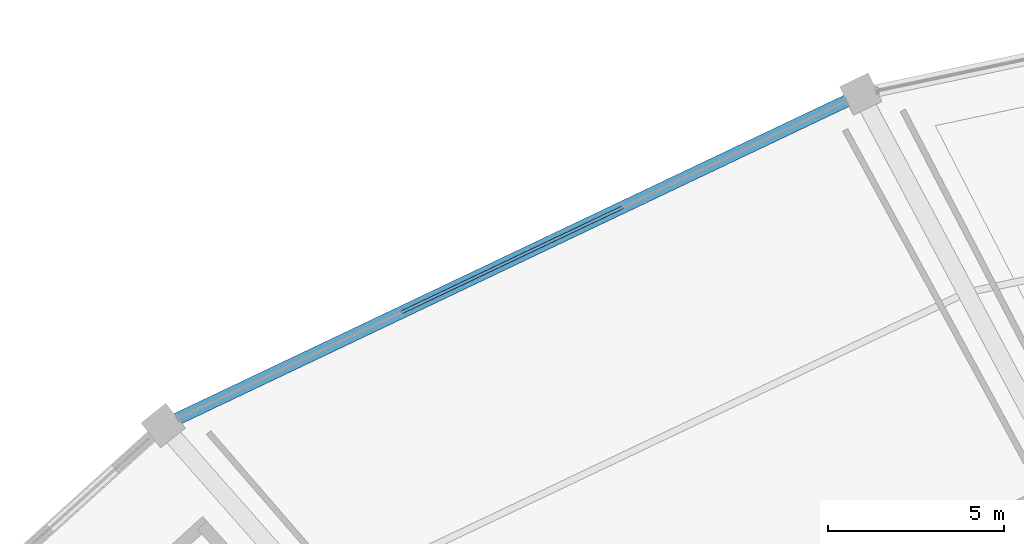
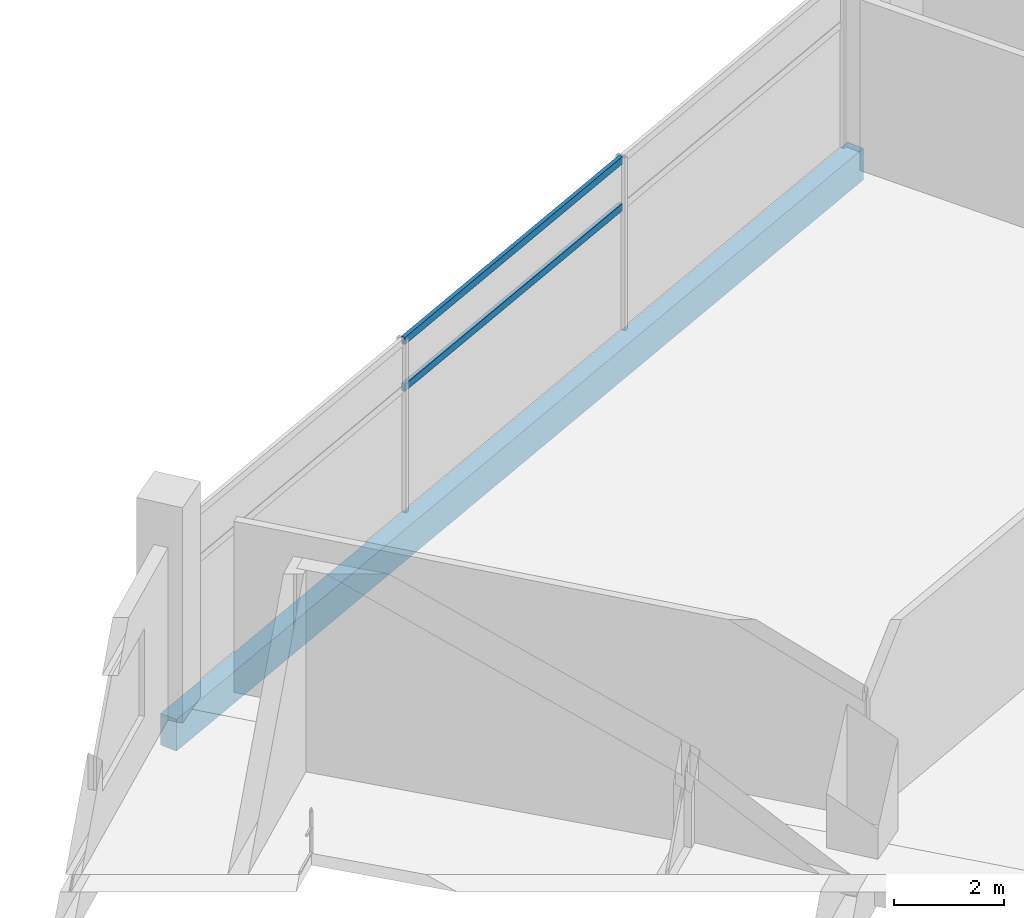
# One storey, part 86 of 171: 2 members, 1 beam, 1 element without a shape of its own.
"""IFC4 building model written with IfcOpenShell, lengths in metres."""

import ifcopenshell
import ifcopenshell.guid

model = None  # the IFC model being written
_history = None  # IfcOwnerHistory: only IFC2X3 demands one
_inside = {}  # id of a spatial element -> (the spatial element, [elements in it])
_under = {}  # id of a project, library or spatial element -> (it, [spatial elements below it])
_declared = {}  # id of a project -> (the project, [libraries it declares])
_typed = {}  # id of a type object -> (the type object, [elements of that type])
_made_of = {}  # id of a material, layer set ... -> (it, [elements and type objects made of it])


def new_model(schema):
    """Start an empty IFC model of exactly this schema.

    Asked for "IFC4X3", IfcOpenShell would pick the latest addendum, in which some entities
    have other attributes; the version numbers below select the first issue.
    IFC2X3 requires an IfcOwnerHistory on every rooted entity: one is made here for all.
    """
    global model, _history
    if schema == "IFC4X3":
        model = ifcopenshell.file(schema_version=(4, 3, 0, 0))
    else:
        model = ifcopenshell.file(schema=schema)
    _inside.clear()
    _under.clear()
    _declared.clear()
    _typed.clear()
    _made_of.clear()
    _history = None
    if model.schema == "IFC2X3":
        org = make("IfcOrganization", Name="unknown")
        user = make(
            "IfcPersonAndOrganization",
            ThePerson=make("IfcPerson", FamilyName="unknown"),
            TheOrganization=org,
        )
        app = make(
            "IfcApplication",
            ApplicationDeveloper=org,
            Version="unknown",
            ApplicationFullName="unknown",
            ApplicationIdentifier="unknown",
        )
        _history = make(
            "IfcOwnerHistory",
            OwningUser=user,
            OwningApplication=app,
            ChangeAction="ADDED",
            CreationDate=0,
        )
    return model


def make(cls, **values):
    """One entity of the class cls with the attributes given. An attribute that is None is left unset."""
    return model.create_entity(
        cls, **{name: value for name, value in values.items() if value is not None}
    )


def rooted(cls, **values):
    """An entity with a GlobalId (a new one), such as an element, a storey or a relation."""
    return make(cls, GlobalId=ifcopenshell.guid.new(), OwnerHistory=_history, **values)


def si_unit(unit_type, name, prefix=None):
    """IfcSIUnit, for example si_unit("LENGTHUNIT", "METRE", prefix="MILLI")."""
    return make("IfcSIUnit", UnitType=unit_type, Prefix=prefix, Name=name)


def assignment(units):
    """IfcUnitAssignment: the units of a project."""
    return None if units is None else make("IfcUnitAssignment", Units=units)


def point(xyz):
    """IfcCartesianPoint."""
    return None if xyz is None else make("IfcCartesianPoint", Coordinates=xyz)


def direction(xyz):
    """IfcDirection."""
    return None if xyz is None else make("IfcDirection", DirectionRatios=xyz)


def frame(location, z_axis=None, x_axis=None):
    """IfcAxis2Placement3D, a coordinate frame: its origin and axes. An axis left out is left unset."""
    return make(
        "IfcAxis2Placement3D",
        Location=point(location),
        Axis=direction(z_axis),
        RefDirection=direction(x_axis),
    )


def frame_2d(location, x_axis=None):
    """IfcAxis2Placement2D, a coordinate frame in the plane: its origin and x axis."""
    return make(
        "IfcAxis2Placement2D", Location=point(location), RefDirection=direction(x_axis)
    )


def origin():
    """The frame at (0, 0, 0) with its axes left unset."""
    return frame((0.0, 0.0, 0.0))


def origin_2d():
    """The frame at (0, 0) in the plane with its x axis left unset."""
    return frame_2d((0.0, 0.0))


def place(relative_to, where):
    """IfcLocalPlacement: puts the frame where relative to a parent placement (None: the world)."""
    return make(
        "IfcLocalPlacement", PlacementRelTo=relative_to, RelativePlacement=where
    )


def context(
    kind, dimensions, precision=None, world=None, true_north=None, identifier=None
):
    """IfcGeometricRepresentationContext, for example the 3D "Model" context."""
    return make(
        "IfcGeometricRepresentationContext",
        ContextIdentifier=identifier,
        ContextType=kind,
        CoordinateSpaceDimension=dimensions,
        Precision=precision,
        WorldCoordinateSystem=world,
        TrueNorth=true_north,
    )


def subcontext(parent, identifier, kind, view, scale=None):
    """IfcGeometricRepresentationSubContext, for example "Body" below "Model"."""
    return make(
        "IfcGeometricRepresentationSubContext",
        ContextIdentifier=identifier,
        ContextType=kind,
        ParentContext=parent,
        TargetScale=scale,
        TargetView=view,
    )


def project(units=None, contexts=None):
    """IfcProject with its units and contexts."""
    return rooted(
        "IfcProject",
        Name="project",
        RepresentationContexts=contexts,
        UnitsInContext=assignment(units),
    )


def spatial(cls, under=None, at=None, **own):
    """A site, building, storey or space (cls), placed at a placement, below another one or the project."""
    s = rooted(cls, ObjectPlacement=at, **own)
    if under is not None:
        _under.setdefault(under.id(), (under, []))[1].append(s)
    return s


def profile(cls, at=None, kind="AREA", **sizes):
    """A parametric profile (cls). Its sizes go by their IFC names, for example OverallWidth=200.0."""
    return make(cls, ProfileType=kind, Position=at, **sizes)


def rectangle(**sizes):
    """IfcRectangleProfileDef."""
    return profile("IfcRectangleProfileDef", **sizes)


def hollow_rectangle(**sizes):
    """IfcRectangleHollowProfileDef."""
    return profile("IfcRectangleHollowProfileDef", **sizes)


def extrude(swept, where, along, depth):
    """IfcExtrudedAreaSolid: the profile swept, set in the frame where, extruded along a direction by depth."""
    return make(
        "IfcExtrudedAreaSolid",
        SweptArea=swept,
        Position=where,
        ExtrudedDirection=direction(along),
        Depth=depth,
    )


def shape(context_of_items, identifier, shape_type, items):
    """IfcShapeRepresentation: the items that make up one representation, for example the "Body"."""
    return make(
        "IfcShapeRepresentation",
        ContextOfItems=context_of_items,
        RepresentationIdentifier=identifier,
        RepresentationType=shape_type,
        Items=items,
    )


def material(Name=None, Category=None):
    """IfcMaterial."""
    return make("IfcMaterial", Name=Name, Category=Category)


def layer(
    of_material, thickness, ventilated=None, Name=None, Category=None, Priority=None
):
    """IfcMaterialLayer: one layer of a wall or slab, of a material (None: an air gap)."""
    return make(
        "IfcMaterialLayer",
        Material=of_material,
        LayerThickness=thickness,
        IsVentilated=ventilated,
        Name=Name,
        Category=Category,
        Priority=Priority,
    )


def layer_set(layers, Name=None):
    """IfcMaterialLayerSet."""
    return make("IfcMaterialLayerSet", MaterialLayers=layers, LayerSetName=Name)


def material_profile(
    of_material, cross_section, Name=None, Category=None, Priority=None
):
    """IfcMaterialProfile: a cross section and its material."""
    return make(
        "IfcMaterialProfile",
        Name=Name,
        Material=of_material,
        Profile=cross_section,
        Priority=Priority,
        Category=Category,
    )


def profile_set(profiles, Name=None, composite=None):
    """IfcMaterialProfileSet."""
    return make(
        "IfcMaterialProfileSet",
        Name=Name,
        MaterialProfiles=profiles,
        CompositeProfile=composite,
    )


def made_of(thing, what):
    """Note that an element or type object is made of a material, layer set ...; save() writes the relation."""
    if what is not None:
        _made_of.setdefault(what.id(), (what, []))[1].append(thing)
    return thing


def type_object(cls, material=None, **own):
    """A type object (cls), such as IfcWallType, which elements share."""
    return made_of(rooted(cls, **own), material)


def element(
    cls,
    number,
    at=None,
    inside=None,
    cuts=None,
    type_object=None,
    material=None,
    context=None,
    identifier="Body",
    shape_type=None,
    held_by="IfcProductDefinitionShape",
    body=None,
    shapes=None,
    **own,
):
    """One element of the class cls, such as IfcWall. Its Tag is "e" and its number.

    at: its placement. inside: the storey or other place that contains it. cuts: it is an
    opening in that element (IfcRelVoidsElement). A single representation is given by context,
    identifier, shape_type and body (its items); several are given by shapes. held_by: the class
    of the entity that holds the representations. save() writes the other relations.
    """
    e = rooted(cls, Tag="e%d" % number, ObjectPlacement=at, **own)
    if body is not None:
        shapes = [shape(context, identifier, shape_type, body)]
    if shapes is not None:
        e.Representation = make(held_by, Representations=shapes)
    if inside is not None:
        _inside.setdefault(inside.id(), (inside, []))[1].append(e)
    if cuts is not None:
        rooted(
            "IfcRelVoidsElement", RelatingBuildingElement=cuts, RelatedOpeningElement=e
        )
    if type_object is not None:
        _typed.setdefault(type_object.id(), (type_object, []))[1].append(e)
    return made_of(e, material)


def aggregate(whole, parts):
    """IfcRelAggregates: a whole, such as a stair, and the parts it consists of."""
    return rooted("IfcRelAggregates", RelatingObject=whole, RelatedObjects=parts)


def save(model, path):
    """Write the relations noted so far, then the file.

    IfcRelAggregates (storeys below a building ...), IfcRelContainedInSpatialStructure (elements
    in a storey), IfcRelDefinesByType, IfcRelAssociatesMaterial and IfcRelDeclares: one each for
    every whole, place, type object, material and project.
    """
    for whole, parts in _under.values():
        aggregate(whole, parts)
    for where, things in _inside.values():
        rooted(
            "IfcRelContainedInSpatialStructure",
            RelatedElements=things,
            RelatingStructure=where,
        )
    for kind, things in _typed.values():
        rooted("IfcRelDefinesByType", RelatedObjects=things, RelatingType=kind)
    for what, things in _made_of.values():
        rooted("IfcRelAssociatesMaterial", RelatedObjects=things, RelatingMaterial=what)
    for by, libraries in _declared.values():
        rooted("IfcRelDeclares", RelatingContext=by, RelatedDefinitions=libraries)
    model.write(path)


model = new_model("IFC4")

# Units and contexts
model_context = context("Model", 3, precision=1e-05, world=origin(), true_north=direction((0.0, 1.0)))
body_context = subcontext(model_context, "Body", "Model", "MODEL_VIEW")
ifc_project = project(units=[si_unit("LENGTHUNIT", "METRE"), si_unit("AREAUNIT", "SQUARE_METRE"), si_unit("VOLUMEUNIT", "CUBIC_METRE"), si_unit("PLANEANGLEUNIT", "RADIAN"), si_unit("MASSUNIT", "GRAM", prefix="KILO")], contexts=[model_context])

# Site, building, storey
site_placement = place(None, origin())
site = spatial("IfcSite", under=ifc_project, at=site_placement, CompositionType="ELEMENT")
building_placement = place(site_placement, origin())
building = spatial("IfcBuilding", under=site, at=building_placement, Name="Kazemori Nagisa Stadium", CompositionType="ELEMENT")
storey_placement = place(building_placement, frame((0.0, 0.0, 15.639892578125)))
storey = spatial("IfcBuildingStorey", under=building, at=storey_placement, Name="L03", CompositionType="ELEMENT", Elevation=15.639892578125)

# Beam
ifc_material_1 = material(Name="Concrete C40/50 (Fc42)", Category="concrete")
ifc_material_profile_1 = material_profile(ifc_material_1, rectangle(XDim=0.35009765625, YDim=0.699951171875, at=origin_2d()), Name="RC-SP-350x700")
ifc_profile_set_1 = profile_set([ifc_material_profile_1], Name="Concrete C40/50 (Fc42)")
beam_type = type_object("IfcBeamType", Name="Beam_BS-RC350X700", PredefinedType="SPANDREL", material=ifc_profile_set_1)
beam_placement = place(storey_placement, frame((80.1953125, 182.46435546875, -0.60986328125), z_axis=(-0.903215644095, -0.429187022475, 0.0), x_axis=(0.429187022475, -0.903215644095, 0.0)))
element("IfcBeam", 1, at=beam_placement, inside=storey, type_object=beam_type, Name="Ring girder BS-RC350X700 L03 R3-10", PredefinedType="SPANDREL", context=body_context, shape_type="SweptSolid", body=[
    extrude(rectangle(XDim=0.35009765625, YDim=0.699951171875, at=origin_2d()), origin(), (0.0, 0.0, 1.0), 21.9140625),
])

# Curtain wall, members
ifc_material_2 = material(Name="Anodised aluminium 6063-T5", Category="aluminium")
ifc_layer = layer(ifc_material_2, 0.2099609375, Name="Anodised aluminium 6063-T5", Category="aluminium")
ifc_layer_set = layer_set([ifc_layer], Name="Anodised aluminium 6063-T5")
curtain_wall_type = type_object("IfcCurtainWallType", Name="CW_L03R3_105", PredefinedType="USERDEFINED", material=ifc_layer_set)
curtain_wall_placement = place(storey_placement, origin())
curtain_wall = element("IfcCurtainWall", 2, at=curtain_wall_placement, inside=storey, type_object=curtain_wall_type, Name="Unitised curtain wall CW-L03R3-105 L03", ObjectType="UNITISED CURTAIN WALL", PredefinedType="USERDEFINED")
ifc_material_3 = material(Name="Aluminium 6063-T5 anodised", Category="aluminium")
ifc_material_profile_2 = material_profile(ifc_material_3, hollow_rectangle(XDim=0.080078125, YDim=0.159912109375, WallThickness=0.00390625, at=origin_2d()), Name="ALU-TRAN-80x160x4")
ifc_profile_set_2 = profile_set([ifc_material_profile_2], Name="Aluminium 6063-T5 anodised")
member_type = type_object("IfcMemberType", Name="Transom_T02", PredefinedType="USERDEFINED", material=ifc_profile_set_2)
member_1_placement = place(storey_placement, frame((73.4365234375, 179.252685546875, 2.705322265625), z_axis=(-0.903207701329, -0.429203737473, 0.0), x_axis=(0.429203737473, -0.903207701329, 0.0)))
member_1 = element("IfcMember", 3, at=member_1_placement, type_object=member_type, Name="Curtain wall transom CW-L03R3-105-T2-mid", ObjectType="TRANSOM", PredefinedType="USERDEFINED", context=body_context, shape_type="SweptSolid", body=[
    extrude(hollow_rectangle(XDim=0.080078125, YDim=0.159912109375, WallThickness=0.00390625, at=origin_2d()), origin(), (0.0, 0.0, 1.0), 6.9482421875),
])
member_2_placement = place(storey_placement, frame((73.4365234375, 179.252685546875, 3.739990234375), z_axis=(-0.903207701329, -0.429203737473, 0.0), x_axis=(0.429203737473, -0.903207701329, 0.0)))
member_2 = element("IfcMember", 4, at=member_2_placement, type_object=member_type, Name="Curtain wall transom CW-L03R3-105-T2-head", ObjectType="TRANSOM", PredefinedType="USERDEFINED", context=body_context, shape_type="SweptSolid", body=[
    extrude(hollow_rectangle(XDim=0.080078125, YDim=0.159912109375, WallThickness=0.00390625, at=origin_2d()), origin(), (0.0, 0.0, 1.0), 6.9482421875),
])
aggregate(curtain_wall, [member_1, member_2])

save(model, "model.ifc")
